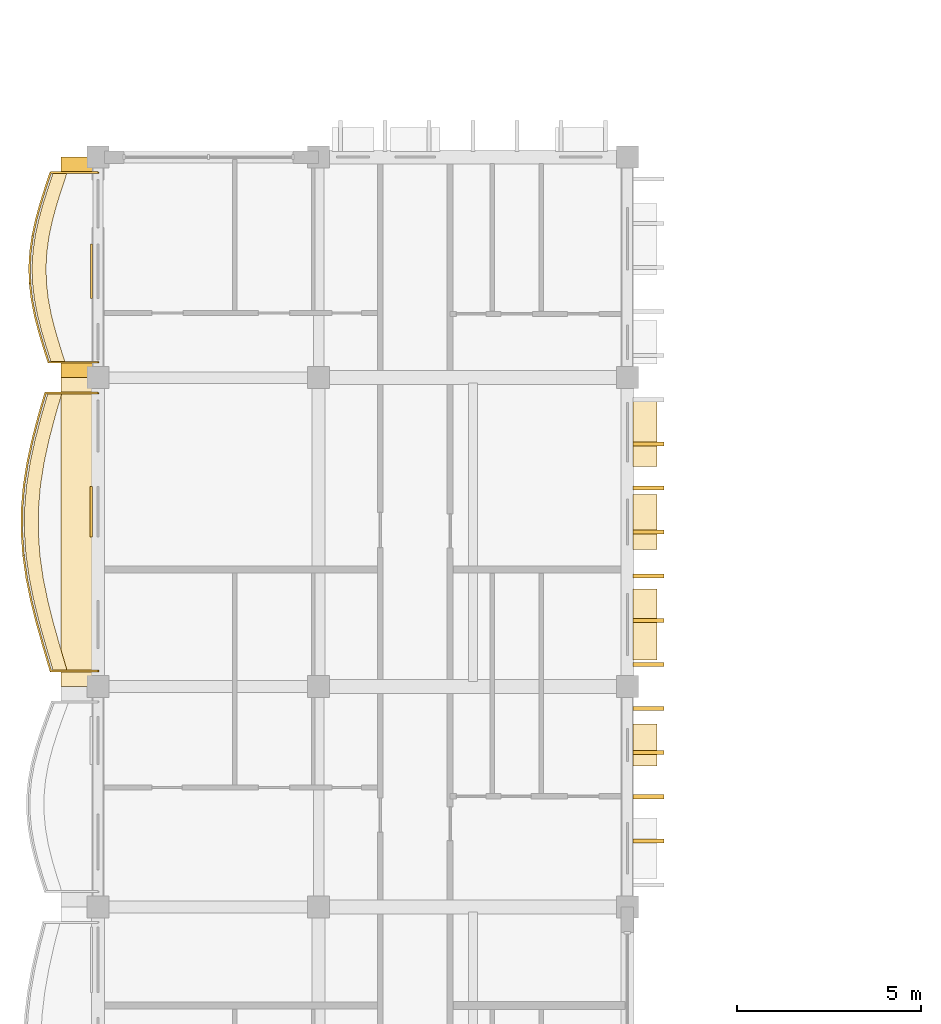
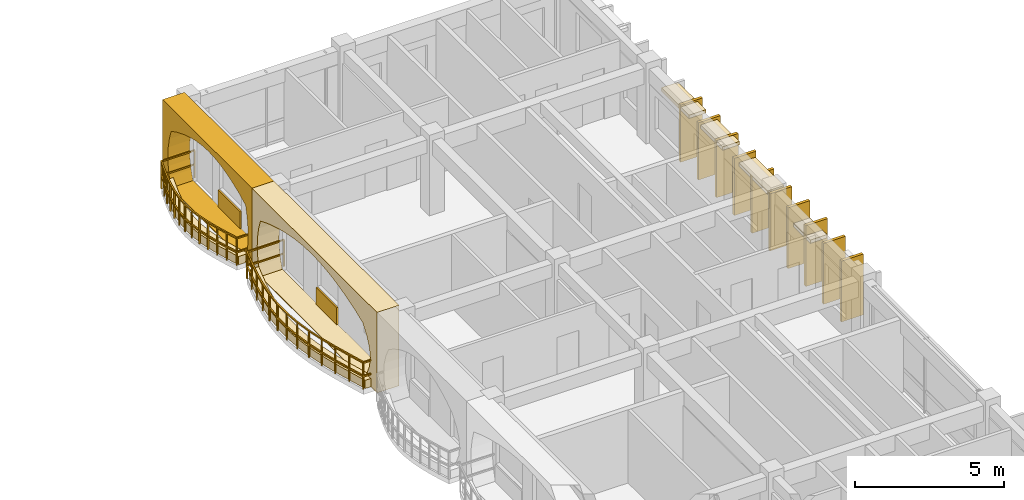
# One storey, part 56 of 79: 20 coverings, 2 railings.
"""IFC4 building model written with IfcOpenShell, lengths in metres."""

from ifc_helpers import new_model, si_unit, direction, frame, origin, origin_2d, place, context, subcontext, project, spatial, polyline, rectangle, outline, extrude, material, layer, layer_set, type_object, element, save


model = new_model("IFC4")

# Units and contexts
model_context = context("Model", 3, precision=1e-05, world=origin(), true_north=direction((0.0, 1.0)))
body_context = subcontext(model_context, "Body", "Model", "MODEL_VIEW")
ifc_project = project(units=[si_unit("LENGTHUNIT", "METRE"), si_unit("AREAUNIT", "SQUARE_METRE"), si_unit("VOLUMEUNIT", "CUBIC_METRE"), si_unit("PLANEANGLEUNIT", "RADIAN"), si_unit("MASSUNIT", "GRAM", prefix="KILO"), si_unit("THERMODYNAMICTEMPERATUREUNIT", "KELVIN")], contexts=[model_context])

# Site, building, storey
site_placement = place(None, origin())
site = spatial("IfcSite", under=ifc_project, at=site_placement, CompositionType="ELEMENT")
building_placement = place(site_placement, origin())
building = spatial("IfcBuilding", under=site, at=building_placement, Name="Thalorik Housing Commons", CompositionType="ELEMENT")
storey_placement = place(building_placement, frame((0.0, 0.0, 11.39990234375)))
storey = spatial("IfcBuildingStorey", under=building, at=storey_placement, Name="L03", CompositionType="ELEMENT", Elevation=11.39990234375)

# Coverings
ifc_material_1 = material(Name="Cobalt blue glazed ceramic facade tile panel", Category="masonry")
ifc_layer_1 = layer(ifc_material_1, 0.06005859375, Name="Cobalt blue glazed ceramic facade tile panel", Category="masonry")
ifc_layer_set_1 = layer_set([ifc_layer_1], Name="Cobalt blue glazed ceramic facade tile panel")
covering_type_1 = type_object("IfcCoveringType", Name="ARC-CLD-BLU-60", PredefinedType="CLADDING", material=ifc_layer_set_1)
covering_1_placement = place(storey_placement, frame((8.21240234375, 47.955078125, 0.05029296875), z_axis=(0.0, 0.0, 1.0), x_axis=(0.0, -1.0, 0.0)))
element("IfcCovering", 1, at=covering_1_placement, inside=storey, type_object=covering_type_1, Name="L03 De Stijl Recessed Window Spandrel 3715", PredefinedType="CLADDING", context=body_context, shape_type="SweptSolid", body=[
    extrude(rectangle(XDim=1.3798828125, YDim=0.06005859375, at=origin_2d()), origin(), (0.0, 0.0, 1.0), 0.699951171875),
])
ifc_material_2 = material(Name="Precast concrete C40/50", Category="concrete")
ifc_layer_2 = layer(ifc_material_2, 0.85009765625, Name="Precast concrete C40/50", Category="concrete")
ifc_layer_set_2 = layer_set([ifc_layer_2], Name="Precast concrete C40/50")
covering_type_2 = type_object("IfcCoveringType", Name="ARC-CLD-CUSH-850", PredefinedType="CLADDING", material=ifc_layer_set_2)
covering_2_placement = place(storey_placement, frame((7.822509765625, 54.60009765625, 0.0), z_axis=(0.0, 0.0, 1.0), x_axis=(0.0, -1.0, 0.0)))
element("IfcCovering", 2, at=covering_2_placement, inside=storey, type_object=covering_type_2, Name="L03 White Precast Curved Cushion Bay Frame 3712", PredefinedType="CLADDING", context=body_context, shape_type="SweptSolid", body=[
    extrude(outline(polyline([(-3.0, 0.0), (3.0, 0.0), (3.0, 3.300048828125), (-3.0, 3.300048828125), (-3.0, 0.0)]), holes=[polyline([(2.574951171875, 0.02490234375), (2.664794921875, 0.410888671875), (2.718505859375, 0.796630859375), (2.736572265625, 1.1826171875), (2.718505859375, 1.568359375), (2.664794921875, 1.9541015625), (2.574951171875, 2.340087890625), (2.157958984375, 2.552978515625), (1.74072265625, 2.720458984375), (1.32373046875, 2.85595703125), (0.90673828125, 2.956787109375), (0.489501953125, 3.01904296875), (0.072509765625, 3.0400390625), (-0.344482421875, 3.01904296875), (-0.76171875, 2.956787109375), (-1.1787109375, 2.85595703125), (-1.595703125, 2.720458984375), (-2.012939453125, 2.552978515625), (-2.429931640625, 2.340087890625), (-2.55029296875, 1.9541015625), (-2.62255859375, 1.568359375), (-2.646484375, 1.1826171875), (-2.62255859375, 0.796630859375), (-2.55029296875, 0.410888671875), (-2.429931640625, 0.02490234375), (2.574951171875, 0.02490234375)])]), frame((0.0, 0.425048828125, 0.0), z_axis=(0.0, -1.0, 0.0), x_axis=(1.0, 0.0, 0.0)), (0.0, 0.0, 1.0), 0.85009765625),
])
covering_3_placement = place(storey_placement, frame((7.822509765625, 47.39990234375, 0.0), z_axis=(0.0, 0.0, 1.0), x_axis=(0.0, -1.0, 0.0)))
element("IfcCovering", 3, at=covering_3_placement, inside=storey, type_object=covering_type_2, Name="L03 White Precast Curved Cushion Bay Frame 3714", PredefinedType="CLADDING", context=body_context, shape_type="SweptSolid", body=[
    extrude(outline(polyline([(-4.199951171875, 0.0), (4.199951171875, 0.0), (4.199951171875, 3.300048828125), (-4.199951171875, 3.300048828125), (-4.199951171875, 0.0)]), holes=[polyline([(3.239990234375, 0.02490234375), (3.523193359375, 0.404296875), (3.693359375, 0.783203125), (3.75, 1.16259765625), (3.693359375, 1.541748046875), (3.523193359375, 1.9208984375), (3.239990234375, 2.300048828125), (2.66748046875, 2.525390625), (2.094970703125, 2.7021484375), (1.5224609375, 2.845458984375), (0.949951171875, 2.951904296875), (0.37744140625, 3.017822265625), (-0.195068359375, 3.0400390625), (-0.767578125, 3.017822265625), (-1.340087890625, 2.951904296875), (-1.91259765625, 2.845458984375), (-2.485107421875, 2.7021484375), (-3.0576171875, 2.525390625), (-3.6298828125, 2.300048828125), (-3.750244140625, 1.9208984375), (-3.822509765625, 1.541748046875), (-3.8466796875, 1.16259765625), (-3.822509765625, 0.783203125), (-3.750244140625, 0.404296875), (-3.6298828125, 0.02490234375), (3.239990234375, 0.02490234375)])]), frame((0.0, 0.425048828125, 0.0), z_axis=(0.0, -1.0, 0.0), x_axis=(1.0, 0.0, 0.0)), (0.0, 0.0, 1.0), 0.85009765625),
])
ifc_layer_3 = layer(ifc_material_2, 0.85009765625, Name="Precast concrete C40/50", Category="concrete")
ifc_layer_set_3 = layer_set([ifc_layer_3], Name="Precast concrete C40/50")
covering_type_3 = type_object("IfcCoveringType", Name="ARC-CLD-FIN-850", PredefinedType="CLADDING", material=ifc_layer_set_3)
for number, where, z_axis, x_axis, name in (
    (4, (23.37744140625, 39.0, 0.0400390625), (0.0, 0.0, 1.0), (0.0, 1.0, 0.0), "L03 Courtyard Precast Vertical Brise-Soleil Fin 3679"),
    (5, (23.37744140625, 40.199951171875, 0.0400390625), (0.0, 0.0, 1.0), (0.0, 1.0, 0.0), "L03 Courtyard Precast Vertical Brise-Soleil Fin 3680"),
    (6, (23.37744140625, 41.39990234375, 0.0400390625), (0.0, 0.0, 1.0), (0.0, 1.0, 0.0), "L03 Courtyard Precast Vertical Brise-Soleil Fin 3681"),
    (7, (23.37744140625, 42.60009765625, 0.0400390625), (0.0, 0.0, 1.0), (0.0, 1.0, 0.0), "L03 Courtyard Precast Vertical Brise-Soleil Fin 3682"),
):
    element("IfcCovering", number, at=place(storey_placement, frame(where, z_axis=z_axis, x_axis=x_axis)), inside=storey, type_object=covering_type_3, Name=name, PredefinedType="CLADDING", context=body_context, shape_type="SweptSolid", body=[
        extrude(rectangle(XDim=0.110107421875, YDim=0.85009765625, at=origin_2d()), origin(), (0.0, 0.0, 1.0), 2.4951171875),
    ])
for number, where, z_axis, x_axis, name in (
    (8, (23.37744140625, 43.800048828125, 0.0400390625), (0.0, 0.0, 1.0), (0.0, 1.0, 0.0), "L03 Courtyard Precast Vertical Brise-Soleil Fin 3685"),
    (9, (23.37744140625, 45.0, 0.0400390625), (0.0, 0.0, 1.0), (0.0, 1.0, 0.0), "L03 Courtyard Precast Vertical Brise-Soleil Fin 3686"),
    (10, (23.37744140625, 46.199951171875, 0.0400390625), (0.0, 0.0, 1.0), (0.0, 1.0, 0.0), "L03 Courtyard Precast Vertical Brise-Soleil Fin 3687"),
    (11, (23.37744140625, 47.39990234375, 0.0400390625), (0.0, 0.0, 1.0), (0.0, 1.0, 0.0), "L03 Courtyard Precast Vertical Brise-Soleil Fin 3688"),
    (12, (23.37744140625, 48.60009765625, 0.0400390625), (0.0, 0.0, 1.0), (0.0, 1.0, 0.0), "L03 Courtyard Precast Vertical Brise-Soleil Fin 3689"),
    (13, (23.37744140625, 49.800048828125, 0.0400390625), (0.0, 0.0, 1.0), (0.0, 1.0, 0.0), "L03 Courtyard Precast Vertical Brise-Soleil Fin 3690"),
):
    element("IfcCovering", number, at=place(storey_placement, frame(where, z_axis=z_axis, x_axis=x_axis)), inside=storey, type_object=covering_type_3, Name=name, PredefinedType="CLADDING", context=body_context, shape_type="SweptSolid", body=[
        extrude(rectangle(XDim=0.110107421875, YDim=0.85009765625, at=origin_2d()), origin(), (0.0, 0.0, 1.0), 2.344970703125),
    ])
ifc_layer_4 = layer(ifc_material_2, 0.64990234375, Name="Precast concrete C40/50", Category="concrete")
ifc_layer_set_4 = layer_set([ifc_layer_4], Name="Precast concrete C40/50")
covering_type_4 = type_object("IfcCoveringType", Name="ARC-CLD-HOOD-650", PredefinedType="CLADDING", material=ifc_layer_set_4)
covering_4_placement = place(storey_placement, frame((23.277587890625, 41.611328125, 1.990234375), z_axis=(0.0, 0.0, 1.0), x_axis=(0.0, 1.0, 0.0)))
element("IfcCovering", 14, at=covering_4_placement, inside=storey, type_object=covering_type_4, Name="L03 Courtyard Precast Window Sun-Hood 3684", PredefinedType="CLADDING", context=body_context, shape_type="SweptSolid", body=[
    extrude(rectangle(XDim=1.139892578125, YDim=0.64990234375, at=origin_2d()), origin(), (0.0, 0.0, 1.0), 0.139892578125),
])
covering_5_placement = place(storey_placement, frame((23.277587890625, 44.885009765625, 2.25), z_axis=(0.0, 0.0, 1.0), x_axis=(0.0, 1.0, 0.0)))
element("IfcCovering", 15, at=covering_5_placement, inside=storey, type_object=covering_type_4, Name="L03 Courtyard Precast Window Sun-Hood 3692", PredefinedType="CLADDING", context=body_context, shape_type="SweptSolid", body=[
    extrude(rectangle(XDim=1.919921875, YDim=0.64990234375, at=origin_2d()), origin(), (0.0, 0.0, 1.0), 0.139892578125),
])
covering_6_placement = place(storey_placement, frame((23.277587890625, 47.672607421875, 2.240234375), z_axis=(0.0, 0.0, 1.0), x_axis=(0.0, 1.0, 0.0)))
element("IfcCovering", 16, at=covering_6_placement, inside=storey, type_object=covering_type_4, Name="L03 Courtyard Precast Window Sun-Hood 3693", PredefinedType="CLADDING", context=body_context, shape_type="SweptSolid", body=[
    extrude(rectangle(XDim=1.489990234375, YDim=0.64990234375, at=origin_2d()), origin(), (0.0, 0.0, 1.0), 0.139892578125),
])
covering_7_placement = place(storey_placement, frame((23.277587890625, 50.117431640625, 2.169921875), z_axis=(0.0, 0.0, 1.0), x_axis=(0.0, 1.0, 0.0)))
element("IfcCovering", 17, at=covering_7_placement, inside=storey, type_object=covering_type_4, Name="L03 Courtyard Precast Window Sun-Hood 3694", PredefinedType="CLADDING", context=body_context, shape_type="SweptSolid", body=[
    extrude(rectangle(XDim=1.860107421875, YDim=0.64990234375, at=origin_2d()), origin(), (0.0, 0.0, 1.0), 0.139892578125),
])
ifc_material_3 = material(Name="Terracotta red mineral fibre-cement panel", Category="masonry")
ifc_layer_5 = layer(ifc_material_3, 0.054931640625, Name="Terracotta red mineral fibre-cement panel", Category="masonry")
ifc_layer_set_5 = layer_set([ifc_layer_5], Name="Terracotta red mineral fibre-cement panel")
covering_type_5 = type_object("IfcCoveringType", Name="ARC-CLD-RED-55", PredefinedType="CLADDING", material=ifc_layer_set_5)
covering_8_placement = place(storey_placement, frame((8.215087890625, 54.4951171875, 0.05029296875), z_axis=(0.0, 0.0, 1.0), x_axis=(0.0, -1.0, 0.0)))
element("IfcCovering", 18, at=covering_8_placement, inside=storey, type_object=covering_type_5, Name="L03 De Stijl Recessed Window Spandrel 3713", PredefinedType="CLADDING", context=body_context, shape_type="SweptSolid", body=[
    extrude(rectangle(XDim=1.47998046875, YDim=0.054931640625, at=origin_2d()), origin(), (0.0, 0.0, 1.0), 0.699951171875),
])
ifc_material_4 = material(Name="Planted vegetated substrate and terracotta trough", Category="masonry")
ifc_layer_6 = layer(ifc_material_4, 0.340087890625, Name="Planted vegetated substrate and terracotta trough", Category="masonry")
ifc_layer_set_6 = layer_set([ifc_layer_6], Name="Planted vegetated substrate and terracotta trough")
covering_type_6 = type_object("IfcCoveringType", Name="ARC-COV-PLANTER", PredefinedType="USERDEFINED", material=ifc_layer_set_6)
covering_9_placement = place(storey_placement, origin())
element("IfcCovering", 19, at=covering_9_placement, inside=storey, type_object=covering_type_6, Name="L03 Balcony Slab-Edge Planted Trough 5580", ObjectType="PLANTER", PredefinedType="USERDEFINED", context=body_context, shape_type="SweptSolid", body=[
    extrude(outline(polyline([(7.0361328125, 51.179931640625), (6.85302734375, 50.550048828125), (6.6875, 49.919921875), (6.551025390625, 49.2900390625), (6.45263671875, 48.659912109375), (6.3994140625, 48.030029296875), (6.39453125, 47.39990234375), (6.438720703125, 46.77001953125), (6.5283203125, 46.139892578125), (6.657470703125, 45.510009765625), (6.816650390625, 44.8798828125), (6.9951171875, 44.25), (7.1806640625, 43.6201171875), (7.560546875, 43.6201171875), (7.375244140625, 44.25), (7.19677734375, 44.8798828125), (7.037353515625, 45.510009765625), (6.908203125, 46.139892578125), (6.818603515625, 46.77001953125), (6.774658203125, 47.39990234375), (6.779296875, 48.030029296875), (6.83251953125, 48.659912109375), (6.930908203125, 49.2900390625), (7.067626953125, 49.919921875), (7.233154296875, 50.550048828125), (7.416259765625, 51.179931640625), (7.0361328125, 51.179931640625)])), origin(), (0.0, 0.0, 1.0), 0.340087890625),
])
covering_10_placement = place(storey_placement, origin())
element("IfcCovering", 20, at=covering_10_placement, inside=storey, type_object=covering_type_6, Name="L03 Balcony Slab-Edge Planted Trough 5581", ObjectType="PLANTER", PredefinedType="USERDEFINED", context=body_context, shape_type="SweptSolid", body=[
    extrude(outline(polyline([(7.17822265625, 57.179931640625), (7.035400390625, 56.75), (6.900146484375, 56.320068359375), (6.781982421875, 55.889892578125), (6.689208984375, 55.4599609375), (6.62841796875, 55.030029296875), (6.60400390625, 54.60009765625), (6.616943359375, 54.169921875), (6.666748046875, 53.739990234375), (6.7490234375, 53.31005859375), (6.858154296875, 52.8798828125), (6.985595703125, 52.449951171875), (7.122802734375, 52.02001953125), (7.502685546875, 52.02001953125), (7.36572265625, 52.449951171875), (7.238037109375, 52.8798828125), (7.12890625, 53.31005859375), (7.046630859375, 53.739990234375), (6.9970703125, 54.169921875), (6.98388671875, 54.60009765625), (7.008544921875, 55.030029296875), (7.069091796875, 55.4599609375), (7.161865234375, 55.889892578125), (7.280029296875, 56.320068359375), (7.415283203125, 56.75), (7.558349609375, 57.179931640625), (7.17822265625, 57.179931640625)])), origin(), (0.0, 0.0, 1.0), 0.340087890625),
])

# Railings
ifc_material_5 = material(Name="Steel S355", Category="steel")
railing_type_1 = type_object("IfcRailingType", Name="ARC-RL-BAL-112", PredefinedType="BALUSTRADE", material=ifc_material_5)
railing_1_placement = place(storey_placement, frame((8.39990234375, 51.179931640625, 0.0)))
element("IfcRailing", 21, at=railing_1_placement, inside=storey, type_object=railing_type_1, Name="L03 Cushion Balcony Guardrail 264", PredefinedType="BALUSTRADE", context=body_context, shape_type="SweptSolid", body=[
    extrude(rectangle(XDim=0.050048828125, YDim=0.050048828125, at=origin_2d()), frame((0.0, 0.0, 1.09521484375), z_axis=(-1.0, 0.0, 0.0), x_axis=(0.0, -1.0, 0.0)), (0.0, 0.0, 1.0), 1.43359375),
    extrude(rectangle(XDim=0.050048828125, YDim=0.050048828125, at=origin_2d()), frame((0.0, 0.0, 0.53515625), z_axis=(-1.0, 0.0, 0.0), x_axis=(0.0, -1.0, 0.0)), (0.0, 0.0, 1.0), 1.43359375),
    extrude(rectangle(XDim=0.050048828125, YDim=0.050048828125, at=origin_2d()), frame((-1.43359375, 0.0, 1.09521484375), z_axis=(-0.279142362954, -0.960249728562, 0.0), x_axis=(0.960249728562, -0.279142362954, 0.0)), (0.0, 0.0, 1.0), 0.656005859375),
    extrude(rectangle(XDim=0.050048828125, YDim=0.050048828125, at=origin_2d()), frame((-1.43359375, 0.0, 0.53515625), z_axis=(-0.279142362954, -0.960249728562, 0.0), x_axis=(0.960249728562, -0.279142362954, 0.0)), (0.0, 0.0, 1.0), 0.656005859375),
    extrude(rectangle(XDim=0.050048828125, YDim=0.050048828125, at=origin_2d()), frame((-1.61669921875, -0.6298828125, 1.09521484375), z_axis=(-0.254069030342, -0.967186087483, 0.0), x_axis=(0.967186087483, -0.254069030342, 0.0)), (0.0, 0.0, 1.0), 0.651611328125),
    extrude(rectangle(XDim=0.050048828125, YDim=0.050048828125, at=origin_2d()), frame((-1.61669921875, -0.6298828125, 0.53515625), z_axis=(-0.254069030342, -0.967186087483, 0.0), x_axis=(0.967186087483, -0.254069030342, 0.0)), (0.0, 0.0, 1.0), 0.651611328125),
    extrude(rectangle(XDim=0.050048828125, YDim=0.050048828125, at=origin_2d()), frame((-1.7822265625, -1.260009765625, 1.09521484375), z_axis=(-0.212115125342, -0.977244684611, 0.0), x_axis=(0.977244684611, -0.212115125342, 0.0)), (0.0, 0.0, 1.0), 0.64453125),
    extrude(rectangle(XDim=0.050048828125, YDim=0.050048828125, at=origin_2d()), frame((-1.7822265625, -1.260009765625, 0.53515625), z_axis=(-0.212115125342, -0.977244684611, 0.0), x_axis=(0.977244684611, -0.212115125342, 0.0)), (0.0, 0.0, 1.0), 0.64453125),
    extrude(rectangle(XDim=0.050048828125, YDim=0.050048828125, at=origin_2d()), frame((-1.9189453125, -1.889892578125, 1.09521484375), z_axis=(-0.154271780434, -0.988028449875, 0.0), x_axis=(0.988028449875, -0.154271780434, 0.0)), (0.0, 0.0, 1.0), 0.6376953125),
    extrude(rectangle(XDim=0.050048828125, YDim=0.050048828125, at=origin_2d()), frame((-1.9189453125, -1.889892578125, 0.53515625), z_axis=(-0.154271780434, -0.988028449875, 0.0), x_axis=(0.988028449875, -0.154271780434, 0.0)), (0.0, 0.0, 1.0), 0.6376953125),
    extrude(rectangle(XDim=0.050048828125, YDim=0.050048828125, at=origin_2d()), frame((-2.017333984375, -2.52001953125, 1.09521484375), z_axis=(-0.084196095588, -0.99644920467, 0.0), x_axis=(0.99644920467, -0.084196095588, 0.0)), (0.0, 0.0, 1.0), 0.632080078125),
    extrude(rectangle(XDim=0.050048828125, YDim=0.050048828125, at=origin_2d()), frame((-2.017333984375, -2.52001953125, 0.53515625), z_axis=(-0.084196095588, -0.99644920467, 0.0), x_axis=(0.99644920467, -0.084196095588, 0.0)), (0.0, 0.0, 1.0), 0.632080078125),
    extrude(rectangle(XDim=0.050048828125, YDim=0.050048828125, at=origin_2d()), frame((-2.070556640625, -3.14990234375, 1.09521484375), z_axis=(-0.007361288338, -0.99997290535, 0.0), x_axis=(0.99997290535, -0.007361288338, 0.0)), (0.0, 0.0, 1.0), 0.630126953125),
    extrude(rectangle(XDim=0.050048828125, YDim=0.050048828125, at=origin_2d()), frame((-2.070556640625, -3.14990234375, 0.53515625), z_axis=(-0.007361288338, -0.99997290535, 0.0), x_axis=(0.99997290535, -0.007361288338, 0.0)), (0.0, 0.0, 1.0), 0.630126953125),
    extrude(rectangle(XDim=0.050048828125, YDim=0.050048828125, at=origin_2d()), frame((-2.0751953125, -3.780029296875, 1.09521484375), z_axis=(0.069598262849, -0.997575100836, 0.0), x_axis=(0.997575100836, 0.069598262849, 0.0)), (0.0, 0.0, 1.0), 0.63134765625),
    extrude(rectangle(XDim=0.050048828125, YDim=0.050048828125, at=origin_2d()), frame((-2.0751953125, -3.780029296875, 0.53515625), z_axis=(0.069598262849, -0.997575100836, 0.0), x_axis=(0.997575100836, 0.069598262849, 0.0)), (0.0, 0.0, 1.0), 0.63134765625),
    extrude(rectangle(XDim=0.050048828125, YDim=0.050048828125, at=origin_2d()), frame((-2.03125, -4.409912109375, 1.09521484375), z_axis=(0.140776897966, -0.990041345096, 0.0), x_axis=(0.990041345096, 0.140776897966, 0.0)), (0.0, 0.0, 1.0), 0.636474609375),
    extrude(rectangle(XDim=0.050048828125, YDim=0.050048828125, at=origin_2d()), frame((-2.03125, -4.409912109375, 0.53515625), z_axis=(0.140776897966, -0.990041345096, 0.0), x_axis=(0.990041345096, 0.140776897966, 0.0)), (0.0, 0.0, 1.0), 0.636474609375),
    extrude(rectangle(XDim=0.050048828125, YDim=0.050048828125, at=origin_2d()), frame((-1.941650390625, -5.0400390625, 1.09521484375), z_axis=(0.200860058517, -0.979619945128, 0.0), x_axis=(0.979619945128, 0.200860058517, 0.0)), (0.0, 0.0, 1.0), 0.64306640625),
    extrude(rectangle(XDim=0.050048828125, YDim=0.050048828125, at=origin_2d()), frame((-1.941650390625, -5.0400390625, 0.53515625), z_axis=(0.200860058517, -0.979619945128, 0.0), x_axis=(0.979619945128, 0.200860058517, 0.0)), (0.0, 0.0, 1.0), 0.64306640625),
    extrude(rectangle(XDim=0.050048828125, YDim=0.050048828125, at=origin_2d()), frame((-1.8125, -5.669921875, 1.09521484375), z_axis=(0.244921349705, -0.969542950291, 0.0), x_axis=(0.969542950291, 0.244921349705, 0.0)), (0.0, 0.0, 1.0), 0.64990234375),
    extrude(rectangle(XDim=0.050048828125, YDim=0.050048828125, at=origin_2d()), frame((-1.8125, -5.669921875, 0.53515625), z_axis=(0.244921349705, -0.969542950291, 0.0), x_axis=(0.969542950291, 0.244921349705, 0.0)), (0.0, 0.0, 1.0), 0.64990234375),
    extrude(rectangle(XDim=0.050048828125, YDim=0.050048828125, at=origin_2d()), frame((-1.6533203125, -6.300048828125, 1.09521484375), z_axis=(0.272947724844, -0.962028866252, 0.0), x_axis=(0.962028866252, 0.272947724844, 0.0)), (0.0, 0.0, 1.0), 0.65478515625),
    extrude(rectangle(XDim=0.050048828125, YDim=0.050048828125, at=origin_2d()), frame((-1.6533203125, -6.300048828125, 0.53515625), z_axis=(0.272947724844, -0.962028866252, 0.0), x_axis=(0.962028866252, 0.272947724844, 0.0)), (0.0, 0.0, 1.0), 0.65478515625),
    extrude(rectangle(XDim=0.050048828125, YDim=0.050048828125, at=origin_2d()), frame((-1.474609375, -6.929931640625, 1.09521484375), z_axis=(0.282226717861, -0.959347736603, 0.0), x_axis=(0.959347736603, 0.282226717861, 0.0)), (0.0, 0.0, 1.0), 0.656494140625),
    extrude(rectangle(XDim=0.050048828125, YDim=0.050048828125, at=origin_2d()), frame((-1.474609375, -6.929931640625, 0.53515625), z_axis=(0.282226717861, -0.959347736603, 0.0), x_axis=(0.959347736603, 0.282226717861, 0.0)), (0.0, 0.0, 1.0), 0.656494140625),
    extrude(rectangle(XDim=0.050048828125, YDim=0.050048828125, at=origin_2d()), frame((-1.289306640625, -7.559814453125, 1.09521484375), z_axis=(1.0, 0.0, 0.0), x_axis=(0.0, 1.0, 0.0)), (0.0, 0.0, 1.0), 1.289306640625),
    extrude(rectangle(XDim=0.050048828125, YDim=0.050048828125, at=origin_2d()), frame((-1.289306640625, -7.559814453125, 0.53515625), z_axis=(1.0, 0.0, 0.0), x_axis=(0.0, 1.0, 0.0)), (0.0, 0.0, 1.0), 1.289306640625),
    extrude(rectangle(XDim=0.0419921875, YDim=0.0419921875, at=origin_2d()), origin(), (0.0, 0.0, 1.0), 1.070068359375),
    extrude(rectangle(XDim=0.0419921875, YDim=0.0419921875, at=origin_2d()), frame((-1.43359375, 0.0, 0.0)), (0.0, 0.0, 1.0), 1.070068359375),
    extrude(rectangle(XDim=0.0419921875, YDim=0.0419921875, at=origin_2d()), frame((-1.61669921875, -0.6298828125, 0.0)), (0.0, 0.0, 1.0), 1.070068359375),
    extrude(rectangle(XDim=0.0419921875, YDim=0.0419921875, at=origin_2d()), frame((-1.7822265625, -1.260009765625, 0.0)), (0.0, 0.0, 1.0), 1.070068359375),
    extrude(rectangle(XDim=0.0419921875, YDim=0.0419921875, at=origin_2d()), frame((-1.9189453125, -1.889892578125, 0.0)), (0.0, 0.0, 1.0), 1.070068359375),
    extrude(rectangle(XDim=0.0419921875, YDim=0.0419921875, at=origin_2d()), frame((-2.017333984375, -2.52001953125, 0.0)), (0.0, 0.0, 1.0), 1.070068359375),
    extrude(rectangle(XDim=0.0419921875, YDim=0.0419921875, at=origin_2d()), frame((-2.070556640625, -3.14990234375, 0.0)), (0.0, 0.0, 1.0), 1.070068359375),
    extrude(rectangle(XDim=0.0419921875, YDim=0.0419921875, at=origin_2d()), frame((-2.0751953125, -3.780029296875, 0.0)), (0.0, 0.0, 1.0), 1.070068359375),
    extrude(rectangle(XDim=0.0419921875, YDim=0.0419921875, at=origin_2d()), frame((-2.03125, -4.409912109375, 0.0)), (0.0, 0.0, 1.0), 1.070068359375),
    extrude(rectangle(XDim=0.0419921875, YDim=0.0419921875, at=origin_2d()), frame((-1.941650390625, -5.0400390625, 0.0)), (0.0, 0.0, 1.0), 1.070068359375),
    extrude(rectangle(XDim=0.0419921875, YDim=0.0419921875, at=origin_2d()), frame((-1.8125, -5.669921875, 0.0)), (0.0, 0.0, 1.0), 1.070068359375),
    extrude(rectangle(XDim=0.0419921875, YDim=0.0419921875, at=origin_2d()), frame((-1.6533203125, -6.300048828125, 0.0)), (0.0, 0.0, 1.0), 1.070068359375),
    extrude(rectangle(XDim=0.0419921875, YDim=0.0419921875, at=origin_2d()), frame((-1.474609375, -6.929931640625, 0.0)), (0.0, 0.0, 1.0), 1.070068359375),
    extrude(rectangle(XDim=0.0419921875, YDim=0.0419921875, at=origin_2d()), frame((-1.289306640625, -7.559814453125, 0.0)), (0.0, 0.0, 1.0), 1.070068359375),
    extrude(rectangle(XDim=0.0419921875, YDim=0.0419921875, at=origin_2d()), frame((0.0, -7.559814453125, 0.0)), (0.0, 0.0, 1.0), 1.070068359375),
])
railing_type_2 = type_object("IfcRailingType", Name="ARC-RL-BAL-115", PredefinedType="BALUSTRADE", material=ifc_material_5)
railing_2_placement = place(storey_placement, frame((8.39990234375, 57.179931640625, 0.0)))
element("IfcRailing", 22, at=railing_2_placement, inside=storey, type_object=railing_type_2, Name="L03 Cushion Balcony Guardrail 265", PredefinedType="BALUSTRADE", context=body_context, shape_type="SweptSolid", body=[
    extrude(rectangle(XDim=0.050048828125, YDim=0.050048828125, at=origin_2d()), frame((0.0, 0.0, 1.125), z_axis=(-1.0, 0.0, 0.0), x_axis=(0.0, -1.0, 0.0)), (0.0, 0.0, 1.0), 1.29150390625),
    extrude(rectangle(XDim=0.050048828125, YDim=0.050048828125, at=origin_2d()), frame((0.0, 0.0, 0.5498046875), z_axis=(-1.0, 0.0, 0.0), x_axis=(0.0, -1.0, 0.0)), (0.0, 0.0, 1.0), 1.29150390625),
    extrude(rectangle(XDim=0.050048828125, YDim=0.050048828125, at=origin_2d()), frame((-1.29150390625, 0.0, 1.125), z_axis=(-0.315742795496, -0.948844817182, 0.0), x_axis=(0.948844817182, -0.315742795496, 0.0)), (0.0, 0.0, 1.0), 0.453125),
    extrude(rectangle(XDim=0.050048828125, YDim=0.050048828125, at=origin_2d()), frame((-1.29150390625, 0.0, 0.5498046875), z_axis=(-0.315742795496, -0.948844817182, 0.0), x_axis=(0.948844817182, -0.315742795496, 0.0)), (0.0, 0.0, 1.0), 0.453125),
    extrude(rectangle(XDim=0.050048828125, YDim=0.050048828125, at=origin_2d()), frame((-1.4345703125, -0.429931640625, 1.125), z_axis=(-0.300094208559, -0.953909569084, 0.0), x_axis=(0.953909569084, -0.300094208559, 0.0)), (0.0, 0.0, 1.0), 0.45068359375),
    extrude(rectangle(XDim=0.050048828125, YDim=0.050048828125, at=origin_2d()), frame((-1.4345703125, -0.429931640625, 0.5498046875), z_axis=(-0.300094208559, -0.953909569084, 0.0), x_axis=(0.953909569084, -0.300094208559, 0.0)), (0.0, 0.0, 1.0), 0.45068359375),
    extrude(rectangle(XDim=0.050048828125, YDim=0.050048828125, at=origin_2d()), frame((-1.56982421875, -0.85986328125, 1.125), z_axis=(-0.264876638102, -0.964282306479, 0.0), x_axis=(0.964282306479, -0.264876638102, 0.0)), (0.0, 0.0, 1.0), 0.446044921875),
    extrude(rectangle(XDim=0.050048828125, YDim=0.050048828125, at=origin_2d()), frame((-1.56982421875, -0.85986328125, 0.5498046875), z_axis=(-0.264876638102, -0.964282306479, 0.0), x_axis=(0.964282306479, -0.264876638102, 0.0)), (0.0, 0.0, 1.0), 0.446044921875),
    extrude(rectangle(XDim=0.050048828125, YDim=0.050048828125, at=origin_2d()), frame((-1.68798828125, -1.2900390625, 1.125), z_axis=(-0.210931472688, -0.977500851063, 0.0), x_axis=(0.977500851063, -0.210931472688, 0.0)), (0.0, 0.0, 1.0), 0.43994140625),
    extrude(rectangle(XDim=0.050048828125, YDim=0.050048828125, at=origin_2d()), frame((-1.68798828125, -1.2900390625, 0.5498046875), z_axis=(-0.210931472688, -0.977500851063, 0.0), x_axis=(0.977500851063, -0.210931472688, 0.0)), (0.0, 0.0, 1.0), 0.43994140625),
    extrude(rectangle(XDim=0.050048828125, YDim=0.050048828125, at=origin_2d()), frame((-1.78076171875, -1.719970703125, 1.125), z_axis=(-0.139452990204, -0.990228692537, 0.0), x_axis=(0.990228692537, -0.139452990204, 0.0)), (0.0, 0.0, 1.0), 0.43408203125),
    extrude(rectangle(XDim=0.050048828125, YDim=0.050048828125, at=origin_2d()), frame((-1.78076171875, -1.719970703125, 0.5498046875), z_axis=(-0.139452990204, -0.990228692537, 0.0), x_axis=(0.990228692537, -0.139452990204, 0.0)), (0.0, 0.0, 1.0), 0.43408203125),
    extrude(rectangle(XDim=0.050048828125, YDim=0.050048828125, at=origin_2d()), frame((-1.84130859375, -2.14990234375, 1.125), z_axis=(-0.057259677, -0.998359318778, 0.0), x_axis=(0.998359318778, -0.057259677, 0.0)), (0.0, 0.0, 1.0), 0.4306640625),
    extrude(rectangle(XDim=0.050048828125, YDim=0.050048828125, at=origin_2d()), frame((-1.84130859375, -2.14990234375, 0.5498046875), z_axis=(-0.057259677, -0.998359318778, 0.0), x_axis=(0.998359318778, -0.057259677, 0.0)), (0.0, 0.0, 1.0), 0.4306640625),
    extrude(rectangle(XDim=0.050048828125, YDim=0.050048828125, at=origin_2d()), frame((-1.865966796875, -2.579833984375, 1.125), z_axis=(0.030632609773, -0.999530711493, 0.0), x_axis=(0.999530711493, 0.030632609773, 0.0)), (0.0, 0.0, 1.0), 0.430419921875),
    extrude(rectangle(XDim=0.050048828125, YDim=0.050048828125, at=origin_2d()), frame((-1.865966796875, -2.579833984375, 0.5498046875), z_axis=(0.030632609773, -0.999530711493, 0.0), x_axis=(0.999530711493, 0.030632609773, 0.0)), (0.0, 0.0, 1.0), 0.430419921875),
    extrude(rectangle(XDim=0.050048828125, YDim=0.050048828125, at=origin_2d()), frame((-1.852783203125, -3.010009765625, 1.125), z_axis=(0.114517047407, -0.993421283169, 0.0), x_axis=(0.993421283169, 0.114517047407, 0.0)), (0.0, 0.0, 1.0), 0.432861328125),
    extrude(rectangle(XDim=0.050048828125, YDim=0.050048828125, at=origin_2d()), frame((-1.852783203125, -3.010009765625, 0.5498046875), z_axis=(0.114517047407, -0.993421283169, 0.0), x_axis=(0.993421283169, 0.114517047407, 0.0)), (0.0, 0.0, 1.0), 0.432861328125),
    extrude(rectangle(XDim=0.050048828125, YDim=0.050048828125, at=origin_2d()), frame((-1.80322265625, -3.43994140625, 1.125), z_axis=(0.187957799209, -0.982177105066, 0.0), x_axis=(0.982177105066, 0.187957799209, 0.0)), (0.0, 0.0, 1.0), 0.437744140625),
    extrude(rectangle(XDim=0.050048828125, YDim=0.050048828125, at=origin_2d()), frame((-1.80322265625, -3.43994140625, 0.5498046875), z_axis=(0.187957799209, -0.982177105066, 0.0), x_axis=(0.982177105066, 0.187957799209, 0.0)), (0.0, 0.0, 1.0), 0.437744140625),
    extrude(rectangle(XDim=0.050048828125, YDim=0.050048828125, at=origin_2d()), frame((-1.720947265625, -3.869873046875, 1.125), z_axis=(0.245899549756, -0.969295316934, 0.0), x_axis=(0.969295316934, 0.245899549756, 0.0)), (0.0, 0.0, 1.0), 0.44384765625),
    extrude(rectangle(XDim=0.050048828125, YDim=0.050048828125, at=origin_2d()), frame((-1.720947265625, -3.869873046875, 0.5498046875), z_axis=(0.245899549756, -0.969295316934, 0.0), x_axis=(0.969295316934, 0.245899549756, 0.0)), (0.0, 0.0, 1.0), 0.44384765625),
    extrude(rectangle(XDim=0.050048828125, YDim=0.050048828125, at=origin_2d()), frame((-1.61181640625, -4.300048828125, 1.125), z_axis=(0.284699903817, -0.958616693349, 0.0), x_axis=(0.958616693349, 0.284699903817, 0.0)), (0.0, 0.0, 1.0), 0.448486328125),
    extrude(rectangle(XDim=0.050048828125, YDim=0.050048828125, at=origin_2d()), frame((-1.61181640625, -4.300048828125, 0.5498046875), z_axis=(0.284699903817, -0.958616693349, 0.0), x_axis=(0.958616693349, 0.284699903817, 0.0)), (0.0, 0.0, 1.0), 0.448486328125),
    extrude(rectangle(XDim=0.050048828125, YDim=0.050048828125, at=origin_2d()), frame((-1.484130859375, -4.72998046875, 1.125), z_axis=(0.30353863317, -0.952819131931, 0.0), x_axis=(0.952819131931, 0.30353863317, 0.0)), (0.0, 0.0, 1.0), 0.451171875),
    extrude(rectangle(XDim=0.050048828125, YDim=0.050048828125, at=origin_2d()), frame((-1.484130859375, -4.72998046875, 0.5498046875), z_axis=(0.30353863317, -0.952819131931, 0.0), x_axis=(0.952819131931, 0.30353863317, 0.0)), (0.0, 0.0, 1.0), 0.451171875),
    extrude(rectangle(XDim=0.050048828125, YDim=0.050048828125, at=origin_2d()), frame((-1.34716796875, -5.159912109375, 1.125), z_axis=(1.0, 0.0, 0.0), x_axis=(0.0, 1.0, 0.0)), (0.0, 0.0, 1.0), 1.34716796875),
    extrude(rectangle(XDim=0.050048828125, YDim=0.050048828125, at=origin_2d()), frame((-1.34716796875, -5.159912109375, 0.5498046875), z_axis=(1.0, 0.0, 0.0), x_axis=(0.0, 1.0, 0.0)), (0.0, 0.0, 1.0), 1.34716796875),
    extrude(rectangle(XDim=0.0419921875, YDim=0.0419921875, at=origin_2d()), origin(), (0.0, 0.0, 1.0), 1.099853515625),
    extrude(rectangle(XDim=0.0419921875, YDim=0.0419921875, at=origin_2d()), frame((-1.29150390625, 0.0, 0.0)), (0.0, 0.0, 1.0), 1.099853515625),
    extrude(rectangle(XDim=0.0419921875, YDim=0.0419921875, at=origin_2d()), frame((-1.4345703125, -0.429931640625, 0.0)), (0.0, 0.0, 1.0), 1.099853515625),
    extrude(rectangle(XDim=0.0419921875, YDim=0.0419921875, at=origin_2d()), frame((-1.56982421875, -0.85986328125, 0.0)), (0.0, 0.0, 1.0), 1.099853515625),
    extrude(rectangle(XDim=0.0419921875, YDim=0.0419921875, at=origin_2d()), frame((-1.68798828125, -1.2900390625, 0.0)), (0.0, 0.0, 1.0), 1.099853515625),
    extrude(rectangle(XDim=0.0419921875, YDim=0.0419921875, at=origin_2d()), frame((-1.78076171875, -1.719970703125, 0.0)), (0.0, 0.0, 1.0), 1.099853515625),
    extrude(rectangle(XDim=0.0419921875, YDim=0.0419921875, at=origin_2d()), frame((-1.84130859375, -2.14990234375, 0.0)), (0.0, 0.0, 1.0), 1.099853515625),
    extrude(rectangle(XDim=0.0419921875, YDim=0.0419921875, at=origin_2d()), frame((-1.865966796875, -2.579833984375, 0.0)), (0.0, 0.0, 1.0), 1.099853515625),
    extrude(rectangle(XDim=0.0419921875, YDim=0.0419921875, at=origin_2d()), frame((-1.852783203125, -3.010009765625, 0.0)), (0.0, 0.0, 1.0), 1.099853515625),
    extrude(rectangle(XDim=0.0419921875, YDim=0.0419921875, at=origin_2d()), frame((-1.80322265625, -3.43994140625, 0.0)), (0.0, 0.0, 1.0), 1.099853515625),
    extrude(rectangle(XDim=0.0419921875, YDim=0.0419921875, at=origin_2d()), frame((-1.720947265625, -3.869873046875, 0.0)), (0.0, 0.0, 1.0), 1.099853515625),
    extrude(rectangle(XDim=0.0419921875, YDim=0.0419921875, at=origin_2d()), frame((-1.61181640625, -4.300048828125, 0.0)), (0.0, 0.0, 1.0), 1.099853515625),
    extrude(rectangle(XDim=0.0419921875, YDim=0.0419921875, at=origin_2d()), frame((-1.484130859375, -4.72998046875, 0.0)), (0.0, 0.0, 1.0), 1.099853515625),
    extrude(rectangle(XDim=0.0419921875, YDim=0.0419921875, at=origin_2d()), frame((-1.34716796875, -5.159912109375, 0.0)), (0.0, 0.0, 1.0), 1.099853515625),
    extrude(rectangle(XDim=0.0419921875, YDim=0.0419921875, at=origin_2d()), frame((0.0, -5.159912109375, 0.0)), (0.0, 0.0, 1.0), 1.099853515625),
])

save(model, "model.ifc")
